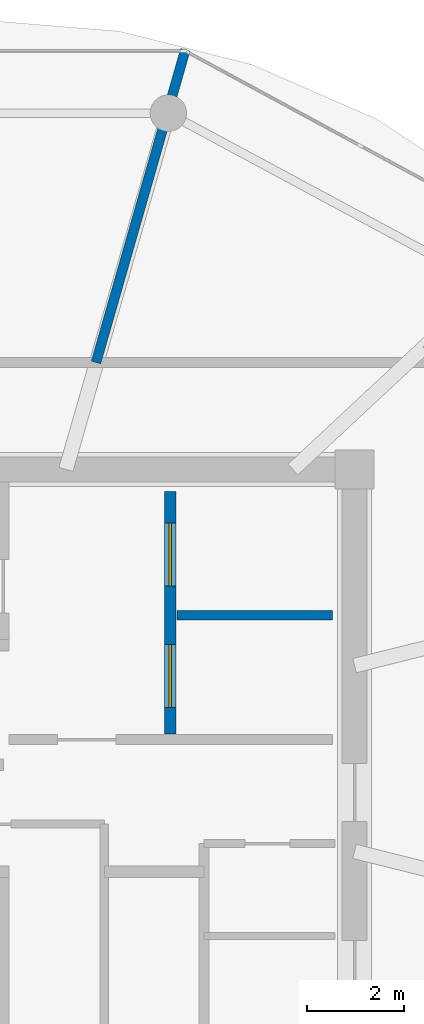
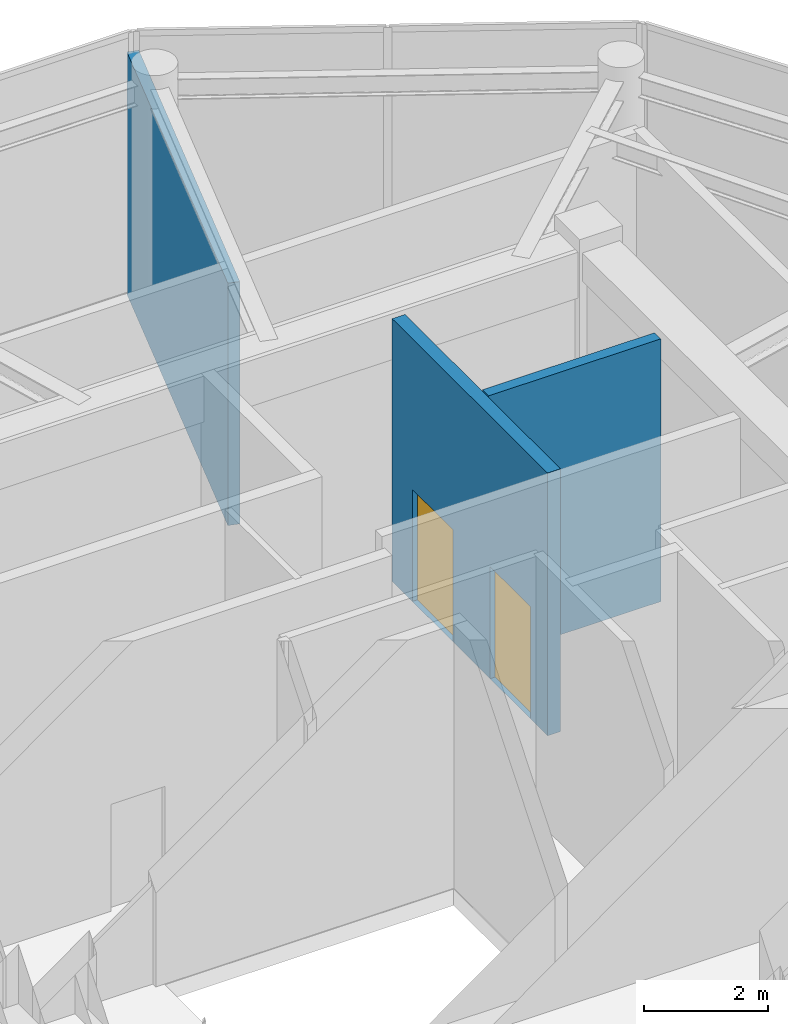
# One storey, part 13 of 15: 3 walls, 2 doors, 2 openings.
"""IFC4 building model written with IfcOpenShell, lengths in metres."""

import ifcopenshell
import ifcopenshell.guid

model = None  # the IFC model being written
_history = None  # IfcOwnerHistory: only IFC2X3 demands one
_inside = {}  # id of a spatial element -> (the spatial element, [elements in it])
_under = {}  # id of a project, library or spatial element -> (it, [spatial elements below it])
_declared = {}  # id of a project -> (the project, [libraries it declares])
_typed = {}  # id of a type object -> (the type object, [elements of that type])
_made_of = {}  # id of a material, layer set ... -> (it, [elements and type objects made of it])


def new_model(schema):
    """Start an empty IFC model of exactly this schema.

    Asked for "IFC4X3", IfcOpenShell would pick the latest addendum, in which some entities
    have other attributes; the version numbers below select the first issue.
    IFC2X3 requires an IfcOwnerHistory on every rooted entity: one is made here for all.
    """
    global model, _history
    if schema == "IFC4X3":
        model = ifcopenshell.file(schema_version=(4, 3, 0, 0))
    else:
        model = ifcopenshell.file(schema=schema)
    _inside.clear()
    _under.clear()
    _declared.clear()
    _typed.clear()
    _made_of.clear()
    _history = None
    if model.schema == "IFC2X3":
        org = make("IfcOrganization", Name="unknown")
        user = make(
            "IfcPersonAndOrganization",
            ThePerson=make("IfcPerson", FamilyName="unknown"),
            TheOrganization=org,
        )
        app = make(
            "IfcApplication",
            ApplicationDeveloper=org,
            Version="unknown",
            ApplicationFullName="unknown",
            ApplicationIdentifier="unknown",
        )
        _history = make(
            "IfcOwnerHistory",
            OwningUser=user,
            OwningApplication=app,
            ChangeAction="ADDED",
            CreationDate=0,
        )
    return model


def make(cls, **values):
    """One entity of the class cls with the attributes given. An attribute that is None is left unset."""
    return model.create_entity(
        cls, **{name: value for name, value in values.items() if value is not None}
    )


def rooted(cls, **values):
    """An entity with a GlobalId (a new one), such as an element, a storey or a relation."""
    return make(cls, GlobalId=ifcopenshell.guid.new(), OwnerHistory=_history, **values)


def si_unit(unit_type, name, prefix=None):
    """IfcSIUnit, for example si_unit("LENGTHUNIT", "METRE", prefix="MILLI")."""
    return make("IfcSIUnit", UnitType=unit_type, Prefix=prefix, Name=name)


def assignment(units):
    """IfcUnitAssignment: the units of a project."""
    return None if units is None else make("IfcUnitAssignment", Units=units)


def point(xyz):
    """IfcCartesianPoint."""
    return None if xyz is None else make("IfcCartesianPoint", Coordinates=xyz)


def direction(xyz):
    """IfcDirection."""
    return None if xyz is None else make("IfcDirection", DirectionRatios=xyz)


def frame(location, z_axis=None, x_axis=None):
    """IfcAxis2Placement3D, a coordinate frame: its origin and axes. An axis left out is left unset."""
    return make(
        "IfcAxis2Placement3D",
        Location=point(location),
        Axis=direction(z_axis),
        RefDirection=direction(x_axis),
    )


def frame_2d(location, x_axis=None):
    """IfcAxis2Placement2D, a coordinate frame in the plane: its origin and x axis."""
    return make(
        "IfcAxis2Placement2D", Location=point(location), RefDirection=direction(x_axis)
    )


def origin():
    """The frame at (0, 0, 0) with its axes left unset."""
    return frame((0.0, 0.0, 0.0))


def place(relative_to, where):
    """IfcLocalPlacement: puts the frame where relative to a parent placement (None: the world)."""
    return make(
        "IfcLocalPlacement", PlacementRelTo=relative_to, RelativePlacement=where
    )


def context(
    kind, dimensions, precision=None, world=None, true_north=None, identifier=None
):
    """IfcGeometricRepresentationContext, for example the 3D "Model" context."""
    return make(
        "IfcGeometricRepresentationContext",
        ContextIdentifier=identifier,
        ContextType=kind,
        CoordinateSpaceDimension=dimensions,
        Precision=precision,
        WorldCoordinateSystem=world,
        TrueNorth=true_north,
    )


def subcontext(parent, identifier, kind, view, scale=None):
    """IfcGeometricRepresentationSubContext, for example "Body" below "Model"."""
    return make(
        "IfcGeometricRepresentationSubContext",
        ContextIdentifier=identifier,
        ContextType=kind,
        ParentContext=parent,
        TargetScale=scale,
        TargetView=view,
    )


def project(units=None, contexts=None):
    """IfcProject with its units and contexts."""
    return rooted(
        "IfcProject",
        Name="project",
        RepresentationContexts=contexts,
        UnitsInContext=assignment(units),
    )


def spatial(cls, under=None, at=None, **own):
    """A site, building, storey or space (cls), placed at a placement, below another one or the project."""
    s = rooted(cls, ObjectPlacement=at, **own)
    if under is not None:
        _under.setdefault(under.id(), (under, []))[1].append(s)
    return s


def profile(cls, at=None, kind="AREA", **sizes):
    """A parametric profile (cls). Its sizes go by their IFC names, for example OverallWidth=200.0."""
    return make(cls, ProfileType=kind, Position=at, **sizes)


def rectangle(**sizes):
    """IfcRectangleProfileDef."""
    return profile("IfcRectangleProfileDef", **sizes)


def extrude(swept, where, along, depth):
    """IfcExtrudedAreaSolid: the profile swept, set in the frame where, extruded along a direction by depth."""
    return make(
        "IfcExtrudedAreaSolid",
        SweptArea=swept,
        Position=where,
        ExtrudedDirection=direction(along),
        Depth=depth,
    )


def shape(context_of_items, identifier, shape_type, items):
    """IfcShapeRepresentation: the items that make up one representation, for example the "Body"."""
    return make(
        "IfcShapeRepresentation",
        ContextOfItems=context_of_items,
        RepresentationIdentifier=identifier,
        RepresentationType=shape_type,
        Items=items,
    )


def source(mapping_origin, context_of_items, identifier, shape_type, items):
    """IfcRepresentationMap: a shape defined once, which mapped items show again and again."""
    return make(
        "IfcRepresentationMap",
        MappingOrigin=mapping_origin,
        MappedRepresentation=shape(context_of_items, identifier, shape_type, items),
    )


def transform(
    local_origin,
    x_axis=None,
    y_axis=None,
    z_axis=None,
    scale=None,
    scale2=None,
    scale3=None,
    uniform=True,
):
    """IfcCartesianTransformationOperator3D, or its non-uniform kind. x_axis, y_axis, z_axis: its Axis1, 2, 3."""
    if uniform:
        return make(
            "IfcCartesianTransformationOperator3D",
            Axis1=direction(x_axis),
            Axis2=direction(y_axis),
            LocalOrigin=point(local_origin),
            Scale=scale,
            Axis3=direction(z_axis),
        )
    return make(
        "IfcCartesianTransformationOperator3DnonUniform",
        Axis1=direction(x_axis),
        Axis2=direction(y_axis),
        LocalOrigin=point(local_origin),
        Scale=scale,
        Axis3=direction(z_axis),
        Scale2=scale2,
        Scale3=scale3,
    )


def mapped(mapping_source, mapping_target):
    """IfcMappedItem: shows the shape of a source again, moved by a transform."""
    return make(
        "IfcMappedItem", MappingSource=mapping_source, MappingTarget=mapping_target
    )


def material(Name=None, Category=None):
    """IfcMaterial."""
    return make("IfcMaterial", Name=Name, Category=Category)


def layer(
    of_material, thickness, ventilated=None, Name=None, Category=None, Priority=None
):
    """IfcMaterialLayer: one layer of a wall or slab, of a material (None: an air gap)."""
    return make(
        "IfcMaterialLayer",
        Material=of_material,
        LayerThickness=thickness,
        IsVentilated=ventilated,
        Name=Name,
        Category=Category,
        Priority=Priority,
    )


def layer_set(layers, Name=None):
    """IfcMaterialLayerSet."""
    return make("IfcMaterialLayerSet", MaterialLayers=layers, LayerSetName=Name)


def made_of(thing, what):
    """Note that an element or type object is made of a material, layer set ...; save() writes the relation."""
    if what is not None:
        _made_of.setdefault(what.id(), (what, []))[1].append(thing)
    return thing


def type_object(cls, material=None, **own):
    """A type object (cls), such as IfcWallType, which elements share."""
    return made_of(rooted(cls, **own), material)


def type_shapes(of_type, sources):
    """Give a type object the sources (RepresentationMaps) that its elements show as mapped items."""
    of_type.RepresentationMaps = sources


def element(
    cls,
    number,
    at=None,
    inside=None,
    cuts=None,
    type_object=None,
    material=None,
    context=None,
    identifier="Body",
    shape_type=None,
    held_by="IfcProductDefinitionShape",
    body=None,
    shapes=None,
    **own,
):
    """One element of the class cls, such as IfcWall. Its Tag is "e" and its number.

    at: its placement. inside: the storey or other place that contains it. cuts: it is an
    opening in that element (IfcRelVoidsElement). A single representation is given by context,
    identifier, shape_type and body (its items); several are given by shapes. held_by: the class
    of the entity that holds the representations. save() writes the other relations.
    """
    e = rooted(cls, Tag="e%d" % number, ObjectPlacement=at, **own)
    if body is not None:
        shapes = [shape(context, identifier, shape_type, body)]
    if shapes is not None:
        e.Representation = make(held_by, Representations=shapes)
    if inside is not None:
        _inside.setdefault(inside.id(), (inside, []))[1].append(e)
    if cuts is not None:
        rooted(
            "IfcRelVoidsElement", RelatingBuildingElement=cuts, RelatedOpeningElement=e
        )
    if type_object is not None:
        _typed.setdefault(type_object.id(), (type_object, []))[1].append(e)
    return made_of(e, material)


def fill(opening, filler):
    """IfcRelFillsElement: the door or window that sits in an opening."""
    return rooted(
        "IfcRelFillsElement",
        RelatingOpeningElement=opening,
        RelatedBuildingElement=filler,
    )


def aggregate(whole, parts):
    """IfcRelAggregates: a whole, such as a stair, and the parts it consists of."""
    return rooted("IfcRelAggregates", RelatingObject=whole, RelatedObjects=parts)


def save(model, path):
    """Write the relations noted so far, then the file.

    IfcRelAggregates (storeys below a building ...), IfcRelContainedInSpatialStructure (elements
    in a storey), IfcRelDefinesByType, IfcRelAssociatesMaterial and IfcRelDeclares: one each for
    every whole, place, type object, material and project.
    """
    for whole, parts in _under.values():
        aggregate(whole, parts)
    for where, things in _inside.values():
        rooted(
            "IfcRelContainedInSpatialStructure",
            RelatedElements=things,
            RelatingStructure=where,
        )
    for kind, things in _typed.values():
        rooted("IfcRelDefinesByType", RelatedObjects=things, RelatingType=kind)
    for what, things in _made_of.values():
        rooted("IfcRelAssociatesMaterial", RelatedObjects=things, RelatingMaterial=what)
    for by, libraries in _declared.values():
        rooted("IfcRelDeclares", RelatingContext=by, RelatedDefinitions=libraries)
    model.write(path)


model = new_model("IFC4")

# Units and contexts
model_context = context("Model", 3, precision=1e-05, world=origin(), true_north=direction((0.0, 1.0)))
body_context = subcontext(model_context, "Body", "Model", "MODEL_VIEW")
ifc_project = project(units=[si_unit("LENGTHUNIT", "METRE"), si_unit("AREAUNIT", "SQUARE_METRE"), si_unit("VOLUMEUNIT", "CUBIC_METRE"), si_unit("PLANEANGLEUNIT", "RADIAN"), si_unit("MASSUNIT", "GRAM", prefix="KILO")], contexts=[model_context])

# Site, building, storey
site_placement = place(None, origin())
site = spatial("IfcSite", under=ifc_project, at=site_placement, CompositionType="ELEMENT")
building_placement = place(site_placement, origin())
building = spatial("IfcBuilding", under=site, at=building_placement, Name="Norrkilde Senior Care Towers", CompositionType="ELEMENT")
storey_placement = place(building_placement, frame((0.0, 0.0, 244.39990234375)))
storey = spatial("IfcBuildingStorey", under=building, at=storey_placement, Name="L76", CompositionType="ELEMENT", Elevation=244.39990234375)

# Wall, openings, doors
ifc_material_1 = material(Name="Concrete C45/55", Category="concrete")
ifc_layer_1 = layer(ifc_material_1, 0.239990234375)
ifc_layer_set_1 = layer_set([ifc_layer_1], Name="Concrete C45/55")
wall_type_1 = type_object("IfcWallType", Name="Lift and Plant Rated Enclosure Partition 240", PredefinedType="PARTITIONING", material=ifc_layer_set_1)
shared_shape_1 = source(origin(), body_context, "Body", "SweptSolid", [
    extrude(rectangle(XDim=5.0, YDim=0.239990234375, at=frame_2d((2.5, 0.0))), origin(), (0.0, 0.0, 1.0), 5.16015625),
])
type_shapes(wall_type_1, [shared_shape_1])
wall_1_placement = place(storey_placement, frame((31.860107421875, 0.5, 0.0), z_axis=(0.0, 0.0, 1.0), x_axis=(0.0, 1.0, 0.0)))
wall_1 = element("IfcWall", 1, at=wall_1_placement, inside=storey, type_object=wall_type_1, Name="WL-INT-L76-E-FFLE", PredefinedType="PARTITIONING", context=body_context, shape_type="MappedRepresentation", body=[
    mapped(shared_shape_1, transform((0.0, 0.0, 0.0), x_axis=(1.0, 0.0, 0.0), y_axis=(0.0, 1.0, 0.0), z_axis=(0.0, 0.0, 1.0), scale=1.0)),
])
opening_1_placement = place(wall_1_placement, frame((3.050048828125, 0.0, 0.0)))
opening_1 = element("IfcOpeningElement", 2, at=opening_1_placement, cuts=wall_1, Name="Opening LD-02", PredefinedType="OPENING", context=body_context, shape_type="SweptSolid", body=[
    extrude(rectangle(XDim=1.300048828125, YDim=2.199951171875, at=frame_2d((0.64990234375, 1.10009765625))), frame((0.0, 0.1298828125, 0.0), z_axis=(0.0, -1.0, 0.0), x_axis=(1.0, 0.0, 0.0)), (0.0, 0.0, 1.0), 0.260009765625),
])
opening_2_placement = place(wall_1_placement, frame((0.550048828125, 0.0, 0.0)))
opening_2 = element("IfcOpeningElement", 3, at=opening_2_placement, cuts=wall_1, Name="Opening LD-02", PredefinedType="OPENING", context=body_context, shape_type="SweptSolid", body=[
    extrude(rectangle(XDim=1.300048828125, YDim=2.199951171875, at=frame_2d((0.64990234375, 1.10009765625))), frame((0.0, 0.1298828125, 0.0), z_axis=(0.0, -1.0, 0.0), x_axis=(1.0, 0.0, 0.0)), (0.0, 0.0, 1.0), 0.260009765625),
])
ifc_material_2 = material(Name="Stainless Steel", Category="steel")
door_type = type_object("IfcDoorType", Name="Stretcher and FFL Landing Sliding Door 1300x2200", OperationType="NOTDEFINED", PredefinedType="DOOR", material=ifc_material_2)
shared_shape_2 = source(origin(), body_context, "Body", "SweptSolid", [
    extrude(rectangle(XDim=1.300048828125, YDim=2.199951171875, at=frame_2d((0.64990234375, 1.10009765625))), frame((0.0, 0.02490234375, 0.0), z_axis=(0.0, -1.0, 0.0), x_axis=(1.0, 0.0, 0.0)), (0.0, 0.0, 1.0), 0.050048828125),
])
type_shapes(door_type, [shared_shape_2])
door_1_placement = place(opening_1_placement, origin())
door_1 = element("IfcDoor", 4, at=door_1_placement, inside=storey, type_object=door_type, Name="L76 Firefighting Lift E1 Landing Door", OperationType="SLIDING_TO_LEFT", OverallHeight=2.199951171875, OverallWidth=1.300048828125, PredefinedType="DOOR", context=body_context, shape_type="MappedRepresentation", body=[
    mapped(shared_shape_2, transform((0.0, 0.0, 0.0), x_axis=(1.0, 0.0, 0.0), y_axis=(0.0, 1.0, 0.0), z_axis=(0.0, 0.0, 1.0), scale=1.0)),
])
fill(opening_1, door_1)
door_2_placement = place(opening_2_placement, origin())
door_2 = element("IfcDoor", 5, at=door_2_placement, inside=storey, type_object=door_type, Name="L76 Stretcher Lift E1 Landing Door", OperationType="SLIDING_TO_RIGHT", OverallHeight=2.199951171875, OverallWidth=1.300048828125, PredefinedType="DOOR", context=body_context, shape_type="MappedRepresentation", body=[
    mapped(shared_shape_2, transform((0.0, 0.0, 0.0), x_axis=(1.0, 0.0, 0.0), y_axis=(0.0, 1.0, 0.0), z_axis=(0.0, 0.0, 1.0), scale=1.0)),
])
fill(opening_2, door_2)

# Walls
ifc_layer_2 = layer(ifc_material_1, 0.199951171875)
ifc_layer_set_2 = layer_set([ifc_layer_2], Name="Concrete C45/55")
wall_type_2 = type_object("IfcWallType", Name="Shaft Division and Plant Partition 200", PredefinedType="PARTITIONING", material=ifc_layer_set_2)
shared_shape_3 = source(origin(), body_context, "Body", "SweptSolid", [
    extrude(rectangle(XDim=3.199951171875, YDim=0.199951171875, at=frame_2d((1.60009765625, 0.0))), origin(), (0.0, 0.0, 1.0), 5.16015625),
])
wall_2_placement = place(storey_placement, frame((32.0, 2.949951171875, 0.0), z_axis=(0.0, 0.0, 1.0), x_axis=(1.0, 0.0, 0.0)))
element("IfcWall", 6, at=wall_2_placement, inside=storey, type_object=wall_type_2, Name="WL-INT-L76-E-FFLDIV", PredefinedType="PARTITIONING", context=body_context, shape_type="MappedRepresentation", body=[
    mapped(shared_shape_3, transform((0.0, 0.0, 0.0), x_axis=(1.0, 0.0, 0.0), y_axis=(0.0, 1.0, 0.0), z_axis=(0.0, 0.0, 1.0), scale=1.0)),
])
shared_shape_4 = source(origin(), body_context, "Body", "SweptSolid", [
    extrude(rectangle(XDim=6.693115234375, YDim=0.199951171875, at=frame_2d((3.3466796875, 0.0))), origin(), (0.0, 0.0, 1.0), 4.760009765625),
])
type_shapes(wall_type_2, [shared_shape_3, shared_shape_4])
wall_3_placement = place(storey_placement, frame((30.328369140625, 8.14990234375, 0.0), z_axis=(0.0, 0.0, 1.0), x_axis=(0.2747066748, 0.96152807698, 0.0)))
element("IfcWall", 7, at=wall_3_placement, inside=storey, type_object=wall_type_2, Name="WL-INT-L76-E-PRAD-2-0", PredefinedType="PARTITIONING", context=body_context, shape_type="MappedRepresentation", body=[
    mapped(shared_shape_4, transform((0.0, 0.0, 0.0), x_axis=(1.0, 0.0, 0.0), y_axis=(0.0, 1.0, 0.0), z_axis=(0.0, 0.0, 1.0), scale=1.0)),
])

save(model, "model.ifc")
